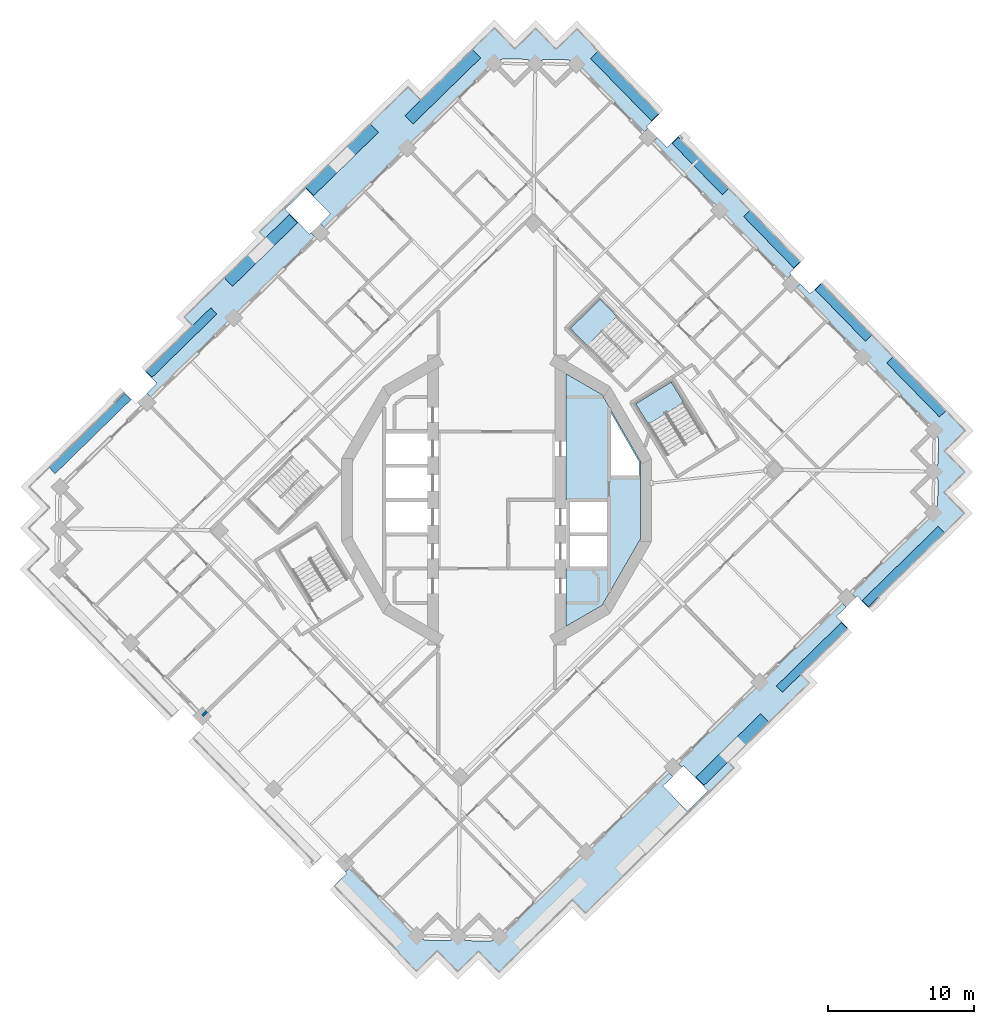
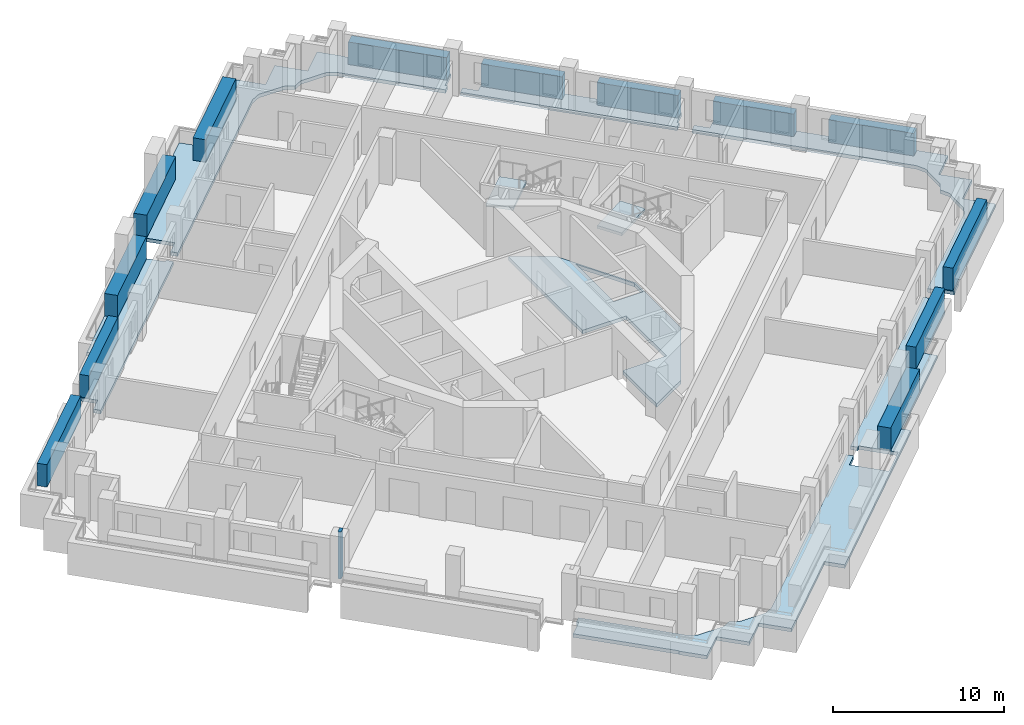
# One storey, part 3 of 17: 13 plates, 7 slabs, 1 wall, 2 elements without a shape of their own.
"""IFC4 building model written with IfcOpenShell, lengths in metres."""

from ifc_helpers import new_model, si_unit, direction, frame, frame_2d, origin, origin_2d, place, context, subcontext, project, spatial, polyline, rectangle, outline, extrude, material, layer, layer_set, type_object, element, aggregate, save


model = new_model("IFC4")

# Units and contexts
model_context = context("Model", 3, precision=1e-05, world=origin(), true_north=direction((0.0, 1.0)))
body_context = subcontext(model_context, "Body", "Model", "MODEL_VIEW")
ifc_project = project(units=[si_unit("LENGTHUNIT", "METRE"), si_unit("AREAUNIT", "SQUARE_METRE"), si_unit("VOLUMEUNIT", "CUBIC_METRE"), si_unit("PLANEANGLEUNIT", "RADIAN"), si_unit("MASSUNIT", "GRAM", prefix="KILO")], contexts=[model_context])

# Site, building, storey
site_placement = place(None, origin())
site = spatial("IfcSite", under=ifc_project, at=site_placement, CompositionType="ELEMENT")
building_placement = place(site_placement, origin())
building = spatial("IfcBuilding", under=site, at=building_placement, Name="Cantera Rosa Tower", CompositionType="ELEMENT")
storey_placement = place(building_placement, frame((0.0, 0.0, 237.800048828125)))
storey = spatial("IfcBuildingStorey", under=building, at=storey_placement, Name="L52", CompositionType="ELEMENT", Elevation=237.800048828125)

# Slabs
ifc_material_1 = material(Name="Concrete C35/45", Category="concrete")
ifc_layer_1 = layer(ifc_material_1, 0.25)
ifc_layer_set_1 = layer_set([ifc_layer_1], Name="COMPOSITE FLOOR SLAB 250 C35/45")
slab_type_1 = type_object("IfcSlabType", Name="COMPOSITE FLOOR SLAB 250 C35/45", PredefinedType="FLOOR", material=ifc_layer_set_1)
slab_1_placement = place(storey_placement, frame((0.0, 0.0, -0.25)))
element("IfcSlab", 1, at=slab_1_placement, inside=storey, type_object=slab_type_1, Name="SLAB L52 floor 3", PredefinedType="FLOOR", context=body_context, shape_type="SweptSolid", body=[
    extrude(outline(polyline([(4.75, 0.0), (4.75, 8.660400390625), (7.22900390625, 7.22900390625), (9.875244140625, 2.64599609375), (9.875244140625, -2.64599609375), (7.22900390625, -7.22900390625), (4.75, -8.660400390625), (4.75, -4.699951171875), (7.699951171875, -4.699951171875), (7.699951171875, -2.35009765625), (7.699951171875, 0.0), (4.75, 0.0)]), holes=[polyline([(7.800048828125, 2.25), (7.800048828125, 1.639404296875), (9.775146484375, 1.639404296875), (9.775146484375, 2.619384765625), (7.800048828125, 6.040283203125), (7.800048828125, 2.449951171875), (7.800048828125, 2.25)])]), origin(), (0.0, 0.0, 1.0), 0.25),
])
ifc_material_2 = material(Name="Concrete C35/45", Category="concrete")
ifc_layer_2 = layer(ifc_material_2, 0.25)
ifc_layer_set_2 = layer_set([ifc_layer_2], Name="LOGGIA SLAB 250 C35/45")
slab_type_2 = type_object("IfcSlabType", Name="LOGGIA SLAB 250 C35/45", PredefinedType="FLOOR", material=ifc_layer_set_2)
slab_2_placement = place(storey_placement, frame((0.0, 0.0, -0.25)))
element("IfcSlab", 2, at=slab_2_placement, inside=storey, type_object=slab_type_2, Name="LOGGIA SLAB L52 2", PredefinedType="FLOOR", context=body_context, shape_type="SweptSolid", body=[
    extrude(outline(polyline([(-5.2109375, 27.413330078125), (-1.369873046875, 31.166015625), (-0.15380859375, 32.35400390625), (1.0341796875, 31.13818359375), (1.243896484375, 30.923583984375), (1.45849609375, 31.13330078125), (2.67431640625, 32.3212890625), (3.8623046875, 31.105224609375), (4.072021484375, 30.890625), (5.502685546875, 32.288330078125), (6.690673828125, 31.072265625), (6.663330078125, 31.0458984375), (11.14990234375, 26.45361328125), (10.282958984375, 25.606689453125), (10.3876953125, 25.499267578125), (10.06591796875, 25.184814453125), (5.474609375, 29.88427734375), (4.982666015625, 30.154541015625), (4.956298828125, 30.16748046875), (4.9287109375, 30.177734375), (4.900146484375, 30.185302734375), (4.87109375, 30.18994140625), (4.841796875, 30.191650390625), (3.2861328125, 30.209716796875), (3.2568359375, 30.208740234375), (3.2275390625, 30.20458984375), (3.198974609375, 30.197998046875), (3.171142578125, 30.188232421875), (3.144287109375, 30.176025390625), (2.646484375, 29.917236328125), (2.154541015625, 30.1875), (2.1279296875, 30.200439453125), (2.100341796875, 30.210693359375), (2.072021484375, 30.218017578125), (2.04296875, 30.222900390625), (2.013427734375, 30.224609375), (0.4580078125, 30.24267578125), (0.4287109375, 30.24169921875), (0.3994140625, 30.237548828125), (0.37060546875, 30.230712890625), (0.343017578125, 30.22119140625), (0.316162109375, 30.208984375), (-0.181884765625, 29.9501953125), (-0.883056640625, 29.26513671875), (-11.76220703125, 18.635986328125), (-12.076904296875, 18.9580078125), (-11.397216796875, 19.621826171875), (-13.074462890625, 21.33837890625), (-14.505126953125, 19.94091796875), (-12.827880859375, 18.22412109375), (-12.720703125, 18.3291015625), (-12.406005859375, 18.007080078125), (-23.664794921875, 7.007568359375), (-23.979248046875, 7.329345703125), (-23.2998046875, 7.9931640625), (-24.089599609375, 8.8017578125), (-20.849609375, 11.967041015625), (-21.416015625, 12.546630859375), (-15.864990234375, 17.969970703125), (-16.255859375, 18.3701171875), (-6.08447265625, 28.307373046875), (-5.2109375, 27.413330078125)])), origin(), (0.0, 0.0, 1.0), 0.25),
])
slab_3_placement = place(storey_placement, frame((0.0, 0.0, -0.25)))
element("IfcSlab", 3, at=slab_3_placement, inside=storey, type_object=slab_type_2, Name="LOGGIA SLAB L52 3", PredefinedType="FLOOR", context=body_context, shape_type="SweptSolid", body=[
    extrude(outline(polyline([(-1.0341796875, -31.13818359375), (-1.243896484375, -30.923583984375), (-1.45849609375, -31.13330078125), (-2.67431640625, -32.3212890625), (-3.8623046875, -31.105224609375), (-4.072021484375, -30.890625), (-5.502685546875, -32.288330078125), (-6.690673828125, -31.072265625), (-6.663330078125, -31.0458984375), (-11.14990234375, -26.45361328125), (-10.282958984375, -25.606689453125), (-10.3876953125, -25.499267578125), (-10.06591796875, -25.184814453125), (-5.474609375, -29.88427734375), (-4.982666015625, -30.154541015625), (-4.956298828125, -30.16748046875), (-4.9287109375, -30.177734375), (-4.900146484375, -30.185302734375), (-4.87109375, -30.18994140625), (-4.841796875, -30.191650390625), (-3.2861328125, -30.209716796875), (-3.2568359375, -30.208740234375), (-3.2275390625, -30.20458984375), (-3.198974609375, -30.197998046875), (-3.171142578125, -30.188232421875), (-3.144287109375, -30.176025390625), (-2.646484375, -29.917236328125), (-2.154541015625, -30.1875), (-2.1279296875, -30.200439453125), (-2.100341796875, -30.210693359375), (-2.072021484375, -30.218017578125), (-2.04296875, -30.222900390625), (-2.013427734375, -30.224609375), (-0.4580078125, -30.24267578125), (-0.4287109375, -30.24169921875), (-0.3994140625, -30.237548828125), (-0.37060546875, -30.230712890625), (-0.343017578125, -30.22119140625), (-0.316162109375, -30.208984375), (0.181884765625, -29.9501953125), (0.883056640625, -29.26513671875), (11.76220703125, -18.635986328125), (12.076904296875, -18.9580078125), (11.397216796875, -19.621826171875), (13.074462890625, -21.33837890625), (14.505126953125, -19.94091796875), (12.827880859375, -18.22412109375), (12.720703125, -18.3291015625), (12.406005859375, -18.007080078125), (23.664794921875, -7.007568359375), (23.979248046875, -7.329345703125), (23.2998046875, -7.9931640625), (24.089599609375, -8.8017578125), (20.849609375, -11.967041015625), (21.416015625, -12.546630859375), (15.864990234375, -17.969970703125), (16.255859375, -18.3701171875), (6.08447265625, -28.307373046875), (5.2109375, -27.413330078125), (1.369873046875, -31.166015625), (0.15380859375, -32.35400390625), (-1.0341796875, -31.13818359375)])), origin(), (0.0, 0.0, 1.0), 0.25),
])
slab_4_placement = place(storey_placement, frame((0.0, 0.0, -0.25)))
element("IfcSlab", 4, at=slab_4_placement, inside=storey, type_object=slab_type_2, Name="LOGGIA SLAB L52 4", PredefinedType="FLOOR", context=body_context, shape_type="SweptSolid", body=[
    extrude(outline(polyline([(20.845703125, 16.2978515625), (20.094482421875, 15.56396484375), (20.199462890625, 15.456787109375), (19.87744140625, 15.14208984375), (10.69482421875, 24.541015625), (11.016845703125, 24.855712890625), (11.6806640625, 24.176025390625), (12.547607421875, 25.023193359375), (12.730712890625, 24.835693359375), (12.61474609375, 24.722412109375), (15.310791015625, 21.962890625), (17.407470703125, 19.81689453125), (20.216796875, 16.94140625), (20.845703125, 16.2978515625)])), origin(), (0.0, 0.0, 1.0), 0.25),
])
slab_5_placement = place(storey_placement, frame((0.0, 0.0, -0.25)))
element("IfcSlab", 5, at=slab_5_placement, inside=storey, type_object=slab_type_2, Name="LOGGIA SLAB L52 5", PredefinedType="FLOOR", context=body_context, shape_type="SweptSolid", body=[
    extrude(outline(polyline([(32.124755859375, 4.753173828125), (31.0517578125, 3.704833984375), (30.694091796875, 3.35546875), (31.043701171875, 2.997802734375), (32.091796875, 1.9248046875), (31.018798828125, 0.876708984375), (30.661376953125, 0.527099609375), (31.0107421875, 0.16943359375), (32.05908203125, -0.9033203125), (30.986083984375, -1.95166015625), (26.1650390625, -6.66162109375), (26.22119140625, -6.718994140625), (25.52001953125, -7.404052734375), (24.730224609375, -6.595703125), (24.622802734375, -6.700439453125), (24.30859375, -6.37841796875), (29.937744140625, -0.878662109375), (30.2080078125, -0.386962890625), (30.220947265625, -0.3603515625), (30.231201171875, -0.332763671875), (30.23876953125, -0.30419921875), (30.243408203125, -0.275146484375), (30.2451171875, -0.245849609375), (30.26318359375, 1.309814453125), (30.26220703125, 1.339111328125), (30.25830078125, 1.368408203125), (30.25146484375, 1.39697265625), (30.24169921875, 1.4248046875), (30.2294921875, 1.451416015625), (29.970703125, 1.949462890625), (30.240966796875, 2.44140625), (30.25390625, 2.4677734375), (30.26416015625, 2.495361328125), (30.271484375, 2.52392578125), (30.2763671875, 2.552978515625), (30.278076171875, 2.58251953125), (30.296142578125, 4.137939453125), (30.295166015625, 4.167236328125), (30.291015625, 4.196533203125), (30.2841796875, 4.22509765625), (30.274658203125, 4.2529296875), (30.262451171875, 4.27978515625), (30.003662109375, 4.777587890625), (20.506591796875, 14.49853515625), (20.828369140625, 14.81298828125), (21.4921875, 14.13330078125), (22.243408203125, 14.8671875), (22.313232421875, 14.795654296875), (25.12255859375, 11.920166015625), (27.218994140625, 9.7744140625), (31.076416015625, 5.825927734375), (32.124755859375, 4.753173828125)])), origin(), (0.0, 0.0, 1.0), 0.25),
])

# Plates
ifc_material_3 = material(Name="Cantera stone planter with soil", Category="masonry")
plate_type_1 = type_object("IfcPlateType", Name="PLANTER 600", PredefinedType="USERDEFINED", material=ifc_material_3)
plate_1_placement = place(storey_placement, frame((28.77587890625, 7.75146484375, 0.0), z_axis=(0.0, 0.0, 1.0), x_axis=(-0.698831540364, 0.71528629107, 0.0)))
element("IfcPlate", 6, at=plate_1_placement, inside=storey, type_object=plate_type_1, Name="PLANTER L52-01", ObjectType="PLANTER", PredefinedType="USERDEFINED", context=body_context, shape_type="SweptSolid", body=[
    extrude(rectangle(XDim=5.169921875, YDim=0.60009765625, at=origin_2d()), origin(), (0.0, 0.0, 1.0), 1.60009765625),
])
for number, where, z_axis, x_axis, name in (
    (7, (23.78271484375, 12.8623046875, 0.0), (0.0, 0.0, 1.0), (-0.698831540364, 0.71528629107, 0.0), "PLANTER L52-02"),
    (8, (18.876953125, 17.883544921875, 0.0), (0.0, 0.0, 1.0), (-0.698831540364, 0.71528629107, 0.0), "PLANTER L52-03"),
    (9, (13.97119140625, 22.90478515625, 0.0), (0.0, 0.0, 1.0), (-0.698831540364, 0.71528629107, 0.0), "PLANTER L52-04"),
):
    element("IfcPlate", number, at=place(storey_placement, frame(where, z_axis=z_axis, x_axis=x_axis)), inside=storey, type_object=plate_type_1, Name=name, ObjectType="PLANTER", PredefinedType="USERDEFINED", context=body_context, shape_type="SweptSolid", body=[
        extrude(rectangle(XDim=4.919921875, YDim=0.60009765625, at=origin_2d()), origin(), (0.0, 0.0, 1.0), 1.60009765625),
    ])
plate_2_placement = place(storey_placement, frame((-21.61962890625, 10.79541015625, 0.0), z_axis=(0.0, 0.0, 1.0), x_axis=(-0.71528629107, -0.698831540364, 0.0)))
element("IfcPlate", 10, at=plate_2_placement, inside=storey, type_object=plate_type_1, Name="PLANTER L52-09", ObjectType="PLANTER", PredefinedType="USERDEFINED", context=body_context, shape_type="SweptSolid", body=[
    extrude(rectangle(XDim=6.219970703125, YDim=0.60009765625, at=origin_2d()), origin(), (0.0, 0.0, 1.0), 1.60009765625),
])
plate_3_placement = place(storey_placement, frame((-27.89013671875, 4.556884765625, 0.0), z_axis=(0.0, 0.0, 1.0), x_axis=(-0.71528629107, -0.698831540364, 0.0)))
element("IfcPlate", 11, at=plate_3_placement, inside=storey, type_object=plate_type_1, Name="PLANTER L52-10", ObjectType="PLANTER", PredefinedType="USERDEFINED", context=body_context, shape_type="SweptSolid", body=[
    extrude(rectangle(XDim=7.27001953125, YDim=0.60009765625, at=origin_2d()), origin(), (0.0, 0.0, 1.0), 1.60009765625),
])
plate_4_placement = place(storey_placement, frame((21.61962890625, -10.79541015625, 0.0), z_axis=(0.0, 0.0, 1.0), x_axis=(0.71528629107, 0.698831540364, 0.0)))
element("IfcPlate", 12, at=plate_4_placement, inside=storey, type_object=plate_type_1, Name="PLANTER L52-19", ObjectType="PLANTER", PredefinedType="USERDEFINED", context=body_context, shape_type="SweptSolid", body=[
    extrude(rectangle(XDim=6.219970703125, YDim=0.60009765625, at=origin_2d()), origin(), (0.0, 0.0, 1.0), 1.60009765625),
])
plate_5_placement = place(storey_placement, frame((27.89013671875, -4.556884765625, 0.0), z_axis=(0.0, 0.0, 1.0), x_axis=(0.71528629107, 0.698831540364, 0.0)))
element("IfcPlate", 13, at=plate_5_placement, inside=storey, type_object=plate_type_1, Name="PLANTER L52-20", ObjectType="PLANTER", PredefinedType="USERDEFINED", context=body_context, shape_type="SweptSolid", body=[
    extrude(rectangle(XDim=7.27001953125, YDim=0.60009765625, at=origin_2d()), origin(), (0.0, 0.0, 1.0), 1.60009765625),
])
ifc_material_4 = material(Name="Cantera stone planter with soil", Category="masonry")
plate_type_2 = type_object("IfcPlateType", Name="PLANTER 700", PredefinedType="USERDEFINED", material=ifc_material_4)
plate_6_placement = place(storey_placement, frame((8.778564453125, 28.3798828125, 0.0), z_axis=(0.0, 0.0, 1.0), x_axis=(-0.698831540364, 0.71528629107, 0.0)))
element("IfcPlate", 14, at=plate_6_placement, inside=storey, type_object=plate_type_2, Name="PLANTER L52-05", ObjectType="PLANTER", PredefinedType="USERDEFINED", context=body_context, shape_type="SweptSolid", body=[
    extrude(rectangle(XDim=5.969970703125, YDim=0.699951171875, at=origin_2d()), origin(), (0.0, 0.0, 1.0), 1.60009765625),
])
ifc_material_5 = material(Name="Cantera stone planter with soil", Category="masonry")
plate_type_3 = type_object("IfcPlateType", Name="PLANTER 800", PredefinedType="USERDEFINED", material=ifc_material_5)
plate_7_placement = place(storey_placement, frame((-3.6904296875, 28.33984375, 0.0), z_axis=(0.0, 0.0, 1.0), x_axis=(-0.71528629107, -0.698831540364, 0.0)))
element("IfcPlate", 15, at=plate_7_placement, inside=storey, type_object=plate_type_3, Name="PLANTER L52-06", ObjectType="PLANTER", PredefinedType="USERDEFINED", context=body_context, shape_type="SweptSolid", body=[
    extrude(rectangle(XDim=6.469970703125, YDim=0.800048828125, at=origin_2d()), origin(), (0.0, 0.0, 1.0), 1.60009765625),
])
for number, where, z_axis, x_axis, name in (
    (16, (-10.6044921875, 23.332275390625, 0.0), (0.0, 0.0, 1.0), (-0.71528629107, -0.698831540364, 0.0), "PLANTER L52-07"),
    (17, (-16.164794921875, 17.11767578125, 0.0), (0.0, 0.0, 1.0), (-0.71528629107, -0.698831540364, 0.0), "PLANTER L52-08"),
    (18, (16.164794921875, -17.11767578125, 0.0), (0.0, 0.0, 1.0), (0.71528629107, 0.698831540364, 0.0), "PLANTER L52-18"),
):
    element("IfcPlate", number, at=place(storey_placement, frame(where, z_axis=z_axis, x_axis=x_axis)), inside=storey, type_object=plate_type_3, Name=name, ObjectType="PLANTER", PredefinedType="USERDEFINED", context=body_context, shape_type="SweptSolid", body=[
        extrude(rectangle(XDim=6.219970703125, YDim=0.800048828125, at=origin_2d()), origin(), (0.0, 0.0, 1.0), 1.60009765625),
    ])

# Stair, slab
ifc_material_6 = material(Name="Concrete C35/45", Category="concrete")
stair_type = type_object("IfcStairType", Name="EXIT STAIR 1350 DOGLEG", PredefinedType="HALF_TURN_STAIR", material=ifc_material_6)
stair_1_placement = place(storey_placement, origin())
stair_1 = element("IfcStair", 19, at=stair_1_placement, inside=storey, type_object=stair_type, Name="L52 ST-41", PredefinedType="HALF_TURN_STAIR")
ifc_material_7 = material(Name="Concrete C35/45", Category="concrete")
ifc_layer_3 = layer(ifc_material_7, 0.199951171875)
ifc_layer_set_3 = layer_set([ifc_layer_3], Name="STAIR LANDING 200")
slab_type_3 = type_object("IfcSlabType", Name="STAIR LANDING 200", PredefinedType="LANDING", material=ifc_layer_set_3)
slab_6_placement = place(storey_placement, frame((0.0, 0.0, 1.599853515625)))
slab_6 = element("IfcSlab", 20, at=slab_6_placement, type_object=slab_type_3, Name="ST-41 landing 1", PredefinedType="LANDING", context=body_context, shape_type="SweptSolid", body=[
    extrude(outline(polyline([(12.8310546875, 6.691162109375), (11.96923828125, 8.088623046875), (9.54345703125, 6.592529296875), (10.405517578125, 5.19482421875), (12.8310546875, 6.691162109375)])), origin(), (0.0, 0.0, 1.0), 0.2001953125),
])
aggregate(stair_1, [slab_6])

stair_2_placement = place(storey_placement, origin())
stair_2 = element("IfcStair", 21, at=stair_2_placement, inside=storey, type_object=stair_type, Name="L52 ST-42", PredefinedType="HALF_TURN_STAIR")
slab_7_placement = place(storey_placement, frame((0.0, 0.0, 1.599853515625)))
slab_7 = element("IfcSlab", 22, at=slab_7_placement, type_object=slab_type_3, Name="ST-42 landing 1", PredefinedType="LANDING", context=body_context, shape_type="SweptSolid", body=[
    extrude(outline(polyline([(8.244873046875, 12.58837890625), (7.097412109375, 13.762939453125), (5.058837890625, 11.771240234375), (6.206298828125, 10.5966796875), (8.244873046875, 12.58837890625)])), origin(), (0.0, 0.0, 1.0), 0.2001953125),
])
aggregate(stair_2, [slab_7])

# Wall
ifc_material_8 = material(Name="Gypsum board partition")
ifc_layer_4 = layer(ifc_material_8, 0.199951171875)
ifc_layer_set_4 = layer_set([ifc_layer_4], Name="PARTY WALL 200 H3350")
wall_type = type_object("IfcWallType", Name="PARTY WALL 200 H3350", PredefinedType="PARTITIONING", material=ifc_layer_set_4)
wall_placement = place(storey_placement, frame((-19.8701171875, -14.505859375, 0.0), z_axis=(0.0, 0.0, 1.0), x_axis=(-0.715200413867, -0.698919428836, 0.0)))
element("IfcWall", 23, at=wall_placement, inside=storey, type_object=wall_type, Name="PARTY WALL L52-017", PredefinedType="PARTITIONING", context=body_context, shape_type="SweptSolid", body=[
    extrude(rectangle(XDim=0.419921875, YDim=0.199951171875, at=frame_2d((0.2099609375, 0.0))), origin(), (0.0, 0.0, 1.0), 3.349853515625),
])

save(model, "model.ifc")
